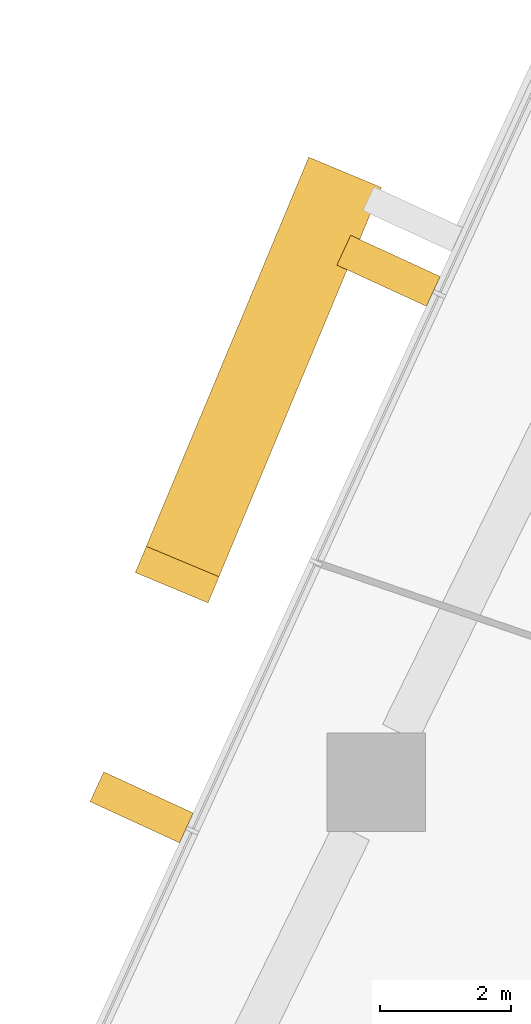
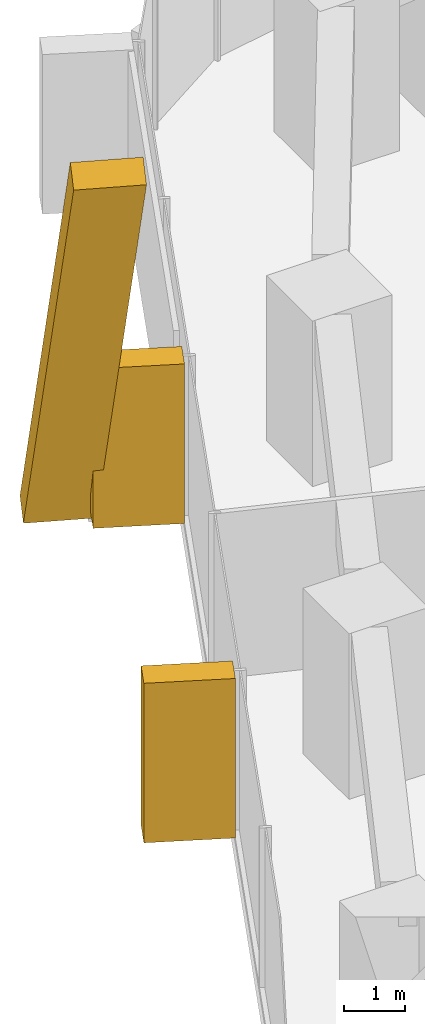
# One storey, part 24 of 26: 3 coverings, 1 element without a shape of its own.
"""IFC4 building model written with IfcOpenShell, lengths in metres."""

from ifc_helpers import new_model, si_unit, direction, frame, origin, origin_2d, place, context, subcontext, project, spatial, rectangle, extrude, material, layer, layer_set, material_profile, profile_set, type_object, element, aggregate, save


model = new_model("IFC4")

# Units and contexts
model_context = context("Model", 3, precision=1e-05, world=origin(), true_north=direction((0.0, 1.0)))
body_context = subcontext(model_context, "Body", "Model", "MODEL_VIEW")
ifc_project = project(units=[si_unit("LENGTHUNIT", "METRE"), si_unit("AREAUNIT", "SQUARE_METRE"), si_unit("VOLUMEUNIT", "CUBIC_METRE"), si_unit("PLANEANGLEUNIT", "RADIAN"), si_unit("MASSUNIT", "GRAM", prefix="KILO")], contexts=[model_context])

# Site, building, storey
site_placement = place(None, origin())
site = spatial("IfcSite", under=ifc_project, at=site_placement, CompositionType="ELEMENT")
building_placement = place(site_placement, origin())
building = spatial("IfcBuilding", under=site, at=building_placement, Name="Dongbaek Canopy Tower", CompositionType="ELEMENT")
storey_placement = place(building_placement, frame((0.0, 0.0, 73.60009765625)))
storey = spatial("IfcBuildingStorey", under=building, at=storey_placement, Name="L14", CompositionType="ELEMENT", Elevation=73.60009765625)

# Curtain wall, coverings
ifc_material_1 = material(Name="Aluminium 6063-T6 pale anodised", Category="aluminium")
ifc_layer = layer(ifc_material_1, 0.199951171875)
ifc_layer_set = layer_set([ifc_layer], Name="CW-1 unitised tower curtain wall")
curtain_wall_type = type_object("IfcCurtainWallType", Name="CW-1 unitised tower curtain wall", PredefinedType="NOTDEFINED", material=ifc_layer_set)
curtain_wall_placement = place(storey_placement, origin())
curtain_wall = element("IfcCurtainWall", 1, at=curtain_wall_placement, inside=storey, type_object=curtain_wall_type, Name="CW-1 curtain wall F2.1", PredefinedType="NOTDEFINED")
ifc_material_2 = material(Name="Aluminium 6063-T6 pale metal fin", Category="aluminium")
ifc_material_profile_1 = material_profile(ifc_material_2, rectangle(XDim=1.199951171875, YDim=0.5, at=origin_2d()), Name="Crease fin CF1 500 x 1200 pale metal")
ifc_profile_set_1 = profile_set([ifc_material_profile_1], Name="Aluminium 6063-T6 pale metal fin")
covering_type_1 = type_object("IfcCoveringType", Name="Crease fin CF1 500 x 1200 pale metal", PredefinedType="CLADDING", material=ifc_profile_set_1)
covering_1_placement = place(storey_placement, frame((-27.14013671875, 25.204833984375, -0.2001953125), z_axis=(-0.192894512637, -0.46211295946, 0.86558842396), x_axis=(0.922830398906, -0.385206509361, 0.0)))
covering_1 = element("IfcCovering", 2, at=covering_1_placement, type_object=covering_type_1, Name="Crease fin L14 L17 F2", PredefinedType="CLADDING", context=body_context, shape_type="SweptSolid", body=[
    extrude(rectangle(XDim=1.199951171875, YDim=0.5, at=origin_2d()), origin(), (0.0, 0.0, 1.0), 12.82373046875),
])
ifc_material_3 = material(Name="Aluminium 6063-T6 pale metal fin", Category="aluminium")
ifc_material_profile_2 = material_profile(ifc_material_3, rectangle(XDim=1.5, YDim=0.5, at=origin_2d()), Name="Fin FN1 500 x 1500 pale metal")
ifc_profile_set_2 = profile_set([ifc_material_profile_2], Name="Aluminium 6063-T6 pale metal fin")
covering_type_2 = type_object("IfcCoveringType", Name="Fin FN1 500 x 1500 pale metal", PredefinedType="CLADDING", material=ifc_profile_set_2)
covering_2_placement = place(storey_placement, frame((-26.395263671875, 23.9052734375, 0.119873046875), z_axis=(0.0, 0.0, 1.0), x_axis=(-0.908435687115, 0.418024643264, 0.0)))
covering_2 = element("IfcCovering", 3, at=covering_2_placement, type_object=covering_type_2, Name="Fin F2.1.3", PredefinedType="CLADDING", context=body_context, shape_type="SweptSolid", body=[
    extrude(rectangle(XDim=1.5, YDim=0.5, at=origin_2d()), origin(), (0.0, 0.0, 1.0), 3.179931640625),
])
covering_3_placement = place(storey_placement, frame((-30.154541015625, 15.735595703125, 0.119873046875), z_axis=(0.0, 0.0, 1.0), x_axis=(-0.908435687115, 0.418024643264, 0.0)))
covering_3 = element("IfcCovering", 4, at=covering_3_placement, type_object=covering_type_2, Name="Fin F2.1.5", PredefinedType="CLADDING", context=body_context, shape_type="SweptSolid", body=[
    extrude(rectangle(XDim=1.5, YDim=0.5, at=origin_2d()), origin(), (0.0, 0.0, 1.0), 3.179931640625),
])
aggregate(curtain_wall, [covering_2, covering_3, covering_1])

save(model, "model.ifc")
